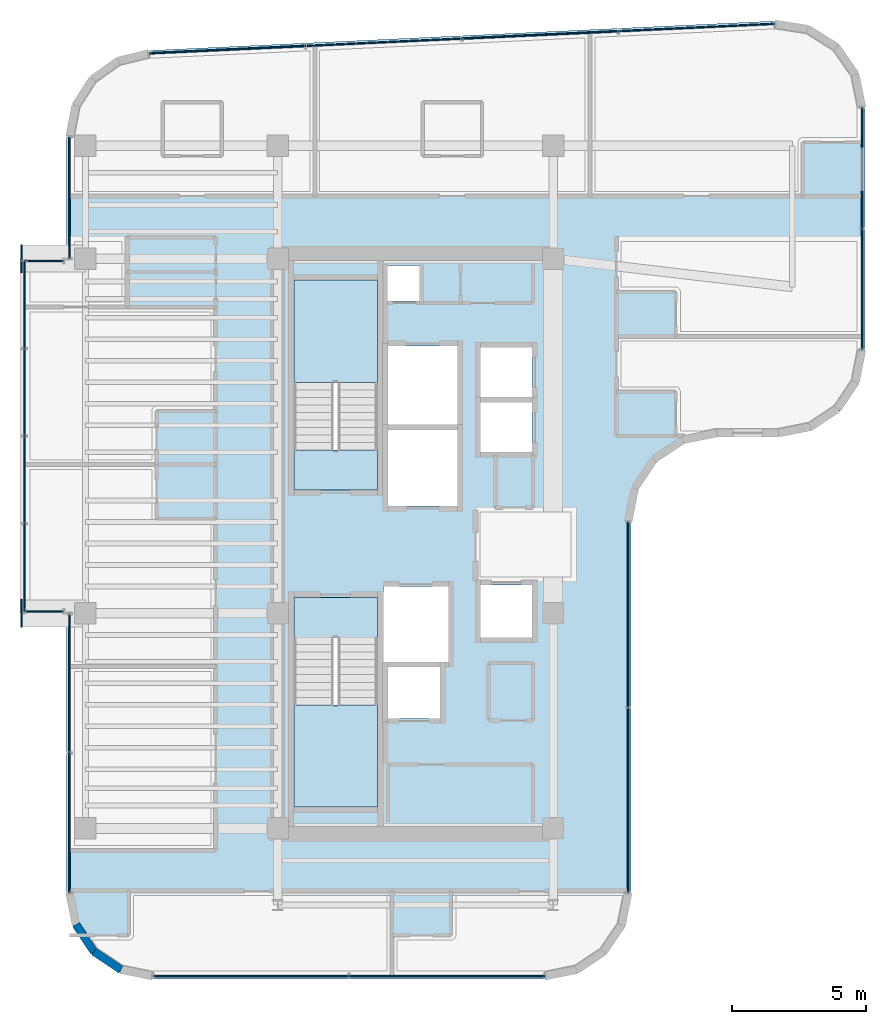
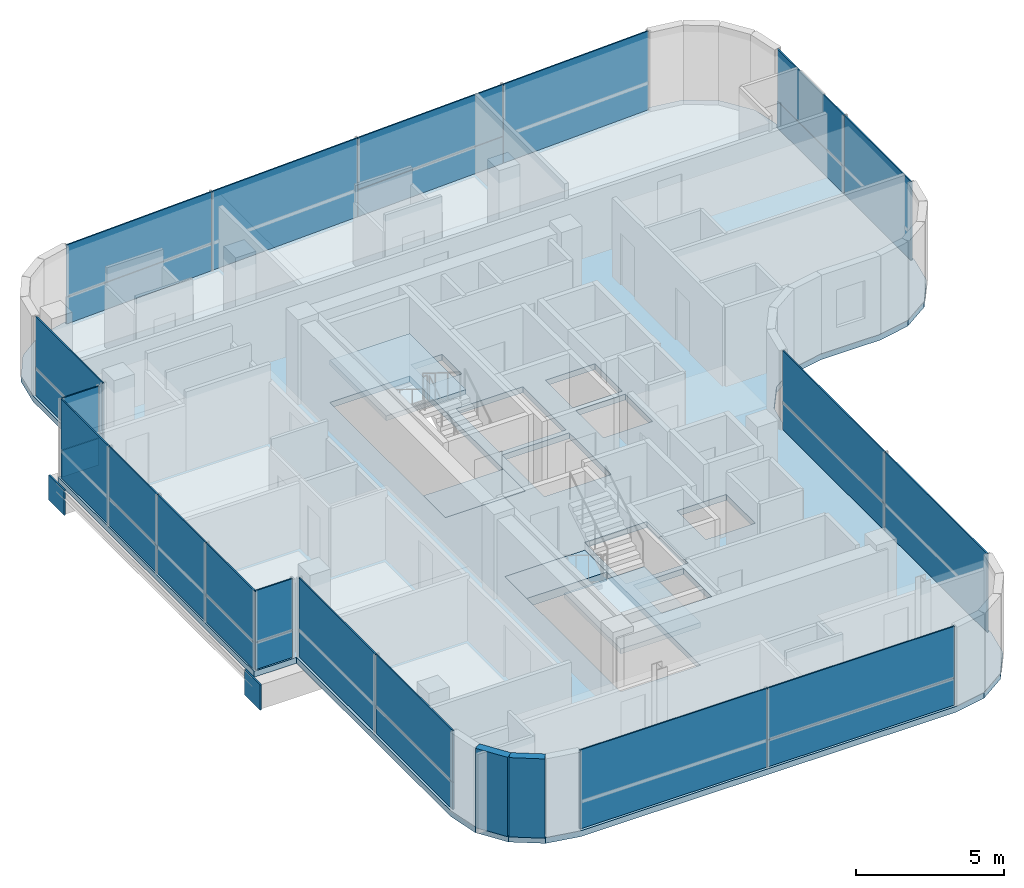
# One storey, part 13 of 20: 32 plates, 5 slabs, 2 walls, 11 elements without a shape of their own.
"""IFC4 building model written with IfcOpenShell, lengths in metres."""

from ifc_helpers import new_model, si_unit, direction, frame, frame_2d, origin, origin_2d, place, context, subcontext, project, spatial, polyline, rectangle, outline, extrude, source, transform, mapped, material, layer, layer_set, type_object, element, aggregate, save


model = new_model("IFC4")

# Units and contexts
model_context = context("Model", 3, precision=1e-05, world=origin(), true_north=direction((0.0, 1.0)))
body_context = subcontext(model_context, "Body", "Model", "MODEL_VIEW")
ifc_project = project(units=[si_unit("LENGTHUNIT", "METRE"), si_unit("AREAUNIT", "SQUARE_METRE"), si_unit("VOLUMEUNIT", "CUBIC_METRE"), si_unit("PLANEANGLEUNIT", "RADIAN"), si_unit("MASSUNIT", "GRAM", prefix="KILO")], contexts=[model_context])

# Site, building, storey
site_placement = place(None, origin())
site = spatial("IfcSite", under=ifc_project, at=site_placement, CompositionType="ELEMENT")
building_placement = place(site_placement, origin())
building = spatial("IfcBuilding", under=site, at=building_placement, Name="Valdorenza Pilgrim Sanctuary Tower", CompositionType="ELEMENT")
storey_placement = place(building_placement, frame((0.0, 0.0, 240.5)))
storey = spatial("IfcBuildingStorey", under=building, at=storey_placement, Name="L62", CompositionType="ELEMENT", Elevation=240.5)

# Slab
ifc_material_1 = material(Name="Concrete C40/50", Category="concrete")
ifc_layer_1 = layer(ifc_material_1, 0.239990234375, Name="Concrete C40/50")
ifc_layer_set_1 = layer_set([ifc_layer_1], Name="Concrete C40/50")
slab_type_1 = type_object("IfcSlabType", Name="SLAB-FLR-220", PredefinedType="FLOOR", material=ifc_layer_set_1)
slab_1_placement = place(storey_placement, frame((0.0, 0.0, -0.239990234375)))
element("IfcSlab", 1, at=slab_1_placement, inside=storey, type_object=slab_type_1, Name="L62 Structural Floor Slab 1", PredefinedType="FLOOR", context=body_context, shape_type="SweptSolid", body=[
    extrude(outline(polyline([(-30.2705078125, 16.3369140625), (-29.615478515625, 17.356201171875), (-28.628173828125, 18.05859375), (-27.45068359375, 18.34375), (-4.150634765625, 19.442138671875), (-2.880615234375, 19.243408203125), (-1.791259765625, 18.56103515625), (-1.05810546875, 17.5048828125), (-0.800048828125, 16.24560546875), (-0.800048828125, 7.199951171875), (-1.043701171875, 5.975341796875), (-1.7373046875, 4.937255859375), (-2.775390625, 4.24365234375), (-4.0, 4.0), (-6.300048828125, 4.0), (-7.524658203125, 3.75634765625), (-8.562744140625, 3.062744140625), (-9.25634765625, 2.024658203125), (-9.5, 0.800048828125), (-9.5, -13.0), (-9.74365234375, -14.224609375), (-10.437255859375, -15.2626953125), (-11.475341796875, -15.956298828125), (-12.699951171875, -16.199951171875), (-27.300048828125, -16.199951171875), (-28.524658203125, -15.956298828125), (-29.562744140625, -15.2626953125), (-30.25634765625, -14.224609375), (-30.5, -13.0), (-30.5, -2.60009765625), (-32.14990234375, -2.60009765625), (-32.14990234375, 10.60009765625), (-30.5, 10.60009765625), (-30.5, 15.147216796875), (-30.2705078125, 16.3369140625)]), holes=[polyline([(-22.050048828125, -9.800048828125), (-18.93994140625, -9.800048828125), (-18.93994140625, -3.485107421875), (-18.93994140625, -2.0), (-22.050048828125, -2.0), (-22.050048828125, -3.485107421875), (-22.050048828125, -9.800048828125)]), polyline([(-16.60009765625, -6.5), (-16.60009765625, -4.60009765625), (-18.550048828125, -4.60009765625), (-18.550048828125, -6.5), (-16.60009765625, -6.5)]), polyline([(-22.050048828125, 2.0), (-18.93994140625, 2.0), (-18.93994140625, 3.485107421875), (-18.93994140625, 9.800048828125), (-22.050048828125, 9.800048828125), (-22.050048828125, 3.485107421875), (-22.050048828125, 2.0)]), polyline([(-17.360107421875, 9.030029296875), (-17.360107421875, 10.35009765625), (-18.570068359375, 10.35009765625), (-18.570068359375, 9.030029296875), (-17.360107421875, 9.030029296875)]), polyline([(-16.300048828125, -1.60009765625), (-18.719970703125, -1.60009765625), (-18.719970703125, -4.39990234375), (-16.300048828125, -4.39990234375), (-16.300048828125, -1.60009765625)]), polyline([(-13.179931640625, -3.5), (-13.179931640625, -1.550048828125), (-15.10009765625, -1.550048828125), (-15.10009765625, -3.5), (-13.179931640625, -3.5)]), polyline([(-15.949951171875, 1.39990234375), (-15.949951171875, 4.22509765625), (-18.550048828125, 4.22509765625), (-18.550048828125, 1.39990234375), (-15.949951171875, 1.39990234375)]), polyline([(-13.179931640625, 5.25), (-15.10009765625, 5.25), (-15.10009765625, 3.39990234375), (-13.179931640625, 3.39990234375), (-13.179931640625, 5.25)]), polyline([(-15.949951171875, 4.425048828125), (-15.949951171875, 7.35009765625), (-18.550048828125, 7.35009765625), (-18.550048828125, 4.425048828125), (-15.949951171875, 4.425048828125)]), polyline([(-13.179931640625, 5.449951171875), (-13.179931640625, 7.300048828125), (-15.10009765625, 7.300048828125), (-15.10009765625, 5.449951171875), (-13.179931640625, 5.449951171875)])]), origin(), (0.0, 0.0, 1.0), 0.239990234375),
])

# Stair, slab
stair_type = type_object("IfcStairType", Name="STR-DOG-CORE", PredefinedType="HALF_TURN_STAIR", material=ifc_material_1)
stair_1_placement = place(storey_placement, origin())
stair_1 = element("IfcStair", 2, at=stair_1_placement, inside=storey, type_object=stair_type, Name="L62 ST-A1", PredefinedType="HALF_TURN_STAIR")
ifc_layer_2 = layer(ifc_material_1, 0.199951171875, Name="Concrete C40/50")
ifc_layer_set_2 = layer_set([ifc_layer_2], Name="Concrete C40/50")
slab_type_2 = type_object("IfcSlabType", Name="SLAB-STL-200", PredefinedType="LANDING", material=ifc_layer_set_2)
slab_2_placement = place(storey_placement, frame((0.0, 0.0, 1.550048828125)))
slab_2 = element("IfcSlab", 3, at=slab_2_placement, type_object=slab_type_2, Name="ST-A1 landing 1", PredefinedType="LANDING", context=body_context, shape_type="SweptSolid", body=[
    extrude(outline(polyline([(-18.93994140625, 6.0), (-18.93994140625, 9.800048828125), (-22.050048828125, 9.800048828125), (-22.050048828125, 6.0), (-18.93994140625, 6.0)])), origin(), (0.0, 0.0, 1.0), 0.199951171875),
])
aggregate(stair_1, [slab_2])

stair_2_placement = place(storey_placement, origin())
stair_2 = element("IfcStair", 4, at=stair_2_placement, inside=storey, type_object=stair_type, Name="L62 ST-A2", PredefinedType="HALF_TURN_STAIR")
slab_3_placement = place(storey_placement, frame((0.0, 0.0, 1.550048828125)))
slab_3 = element("IfcSlab", 5, at=slab_3_placement, type_object=slab_type_2, Name="ST-A2 landing 1", PredefinedType="LANDING", context=body_context, shape_type="SweptSolid", body=[
    extrude(outline(polyline([(-22.050048828125, -6.0), (-22.050048828125, -9.800048828125), (-18.93994140625, -9.800048828125), (-18.93994140625, -6.0), (-22.050048828125, -6.0)])), origin(), (0.0, 0.0, 1.0), 0.199951171875),
])
aggregate(stair_2, [slab_3])

# Slabs
ifc_material_2 = material(Name="Concrete C50/60", Category="concrete")
ifc_layer_3 = layer(ifc_material_2, 0.39990234375, Name="Concrete C50/60")
ifc_layer_set_3 = layer_set([ifc_layer_3], Name="Concrete C50/60")
slab_type_3 = type_object("IfcSlabType", Name="SLAB-TRF-400", PredefinedType="FLOOR", material=ifc_layer_set_3)
slab_4_placement = place(storey_placement, frame((0.0, 0.0, -0.360107421875)))
element("IfcSlab", 6, at=slab_4_placement, inside=storey, type_object=slab_type_3, Name="L62 ST-A1 Structural Stair Landing Bearing Slab", PredefinedType="FLOOR", context=body_context, shape_type="SweptSolid", body=[
    extrude(outline(polyline([(-22.050048828125, 2.0), (-18.93994140625, 2.0), (-18.93994140625, 3.485107421875), (-22.050048828125, 3.485107421875), (-22.050048828125, 2.0)])), origin(), (0.0, 0.0, 1.0), 0.360107421875),
])
slab_5_placement = place(storey_placement, frame((0.0, 0.0, -0.360107421875)))
element("IfcSlab", 7, at=slab_5_placement, inside=storey, type_object=slab_type_3, Name="L62 ST-A2 Structural Stair Landing Bearing Slab", PredefinedType="FLOOR", context=body_context, shape_type="SweptSolid", body=[
    extrude(outline(polyline([(-22.050048828125, -3.485107421875), (-18.93994140625, -3.485107421875), (-18.93994140625, -2.0), (-22.050048828125, -2.0), (-22.050048828125, -3.485107421875)])), origin(), (0.0, 0.0, 1.0), 0.360107421875),
])

# Plates
ifc_material_3 = material(Name="Steel ASTM A572 Grade 42", Category="steel")
ifc_layer_4 = layer(ifc_material_3, 0.06005859375, Name="Steel ASTM A572 Grade 42")
ifc_layer_set_4 = layer_set([ifc_layer_4], Name="Steel ASTM A572 Grade 42")
plate_type_1 = type_object("IfcPlateType", Name="PLT-CAP-60", PredefinedType="SHEET", material=ifc_layer_set_4)
shared_shape_1 = source(origin(), body_context, "Body", "SweptSolid", [
    extrude(rectangle(XDim=0.06005859375, YDim=1.0400390625, at=origin_2d()), origin(), (0.0, 0.0, 1.0), 1.0400390625),
])
for number, where, z_axis, x_axis, name in (
    (8, (-32.179931640625, 10.60009765625, -1.260009765625), (0.0, 0.0, 1.0), (1.0, 0.0, 0.0), "L62 BOX-WA-L62 Cantilever Tip End Cap N"),
    (9, (-32.179931640625, -2.60009765625, -1.260009765625), (0.0, 0.0, 1.0), (1.0, 0.0, 0.0), "L62 BOX-WA-L62 Cantilever Tip End Cap S"),
):
    element("IfcPlate", number, at=place(storey_placement, frame(where, z_axis=z_axis, x_axis=x_axis)), inside=storey, type_object=plate_type_1, Name=name, PredefinedType="SHEET", context=body_context, shape_type="MappedRepresentation", body=[
        mapped(shared_shape_1, transform((0.0, 0.0, 0.0), x_axis=(1.0, 0.0, 0.0), y_axis=(0.0, 1.0, 0.0), z_axis=(0.0, 0.0, 1.0), scale=1.0)),
    ])

# Curtain wall, plate
ifc_material_4 = material(Name="Curtain-wall IGU glazing", Category="glass")
curtain_wall_type = type_object("IfcCurtainWallType", Name="CW-SYS-02", PredefinedType="NOTDEFINED", material=ifc_material_4)
curtain_wall_1_placement = place(storey_placement, origin())
curtain_wall_1 = element("IfcCurtainWall", 10, at=curtain_wall_1_placement, inside=storey, type_object=curtain_wall_type, Name="L62 Curtain Wall CW-L62-BOX-WA-L62-S", PredefinedType="NOTDEFINED")
ifc_material_5 = material(Name="Honed travertine limestone", Category="masonry")
ifc_layer_5 = layer(ifc_material_5, 0.050048828125, Name="Honed travertine limestone")
ifc_layer_set_5 = layer_set([ifc_layer_5], Name="Honed travertine limestone")
plate_type_2 = type_object("IfcPlateType", Name="CW-SPN-TRV", PredefinedType="USERDEFINED", material=ifc_layer_set_5)
shared_shape_2 = source(origin(), body_context, "Body", "SweptSolid", [
    extrude(rectangle(XDim=1.43994140625, YDim=0.06005859375, at=origin_2d()), origin(), (0.0, 0.0, 1.0), 1.10009765625),
])
plate_1_placement = place(storey_placement, frame((-31.340087890625, -2.52001953125, 0.010009765625), z_axis=(0.0, 0.0, 1.0), x_axis=(-1.0, 0.0, 0.0)))
plate_1 = element("IfcPlate", 11, at=plate_1_placement, type_object=plate_type_2, Name="CW-L62-BOX-WA-L62-S Travertine Spandrel 1", ObjectType="SPANDREL", PredefinedType="USERDEFINED", context=body_context, shape_type="MappedRepresentation", body=[
    mapped(shared_shape_2, transform((0.0, 0.0, 0.0), x_axis=(1.0, 0.0, 0.0), y_axis=(0.0, 1.0, 0.0), z_axis=(0.0, 0.0, 1.0), scale=1.0)),
])

curtain_wall_2_placement = place(storey_placement, origin())
curtain_wall_2 = element("IfcCurtainWall", 12, at=curtain_wall_2_placement, inside=storey, type_object=curtain_wall_type, Name="L62 Curtain Wall CW-L62-BOX-WA-L62-N", PredefinedType="NOTDEFINED")
plate_2_placement = place(storey_placement, frame((-31.340087890625, 10.52001953125, 0.010009765625), z_axis=(0.0, 0.0, 1.0), x_axis=(1.0, 0.0, 0.0)))
plate_2 = element("IfcPlate", 13, at=plate_2_placement, type_object=plate_type_2, Name="CW-L62-BOX-WA-L62-N Travertine Spandrel 1", ObjectType="SPANDREL", PredefinedType="USERDEFINED", context=body_context, shape_type="MappedRepresentation", body=[
    mapped(shared_shape_2, transform((0.0, 0.0, 0.0), x_axis=(1.0, 0.0, 0.0), y_axis=(0.0, 1.0, 0.0), z_axis=(0.0, 0.0, 1.0), scale=1.0)),
])

# Curtain wall, plates
curtain_wall_3_placement = place(storey_placement, origin())
curtain_wall_3 = element("IfcCurtainWall", 14, at=curtain_wall_3_placement, inside=storey, type_object=curtain_wall_type, Name="L62 Curtain Wall CW-L62-BOX-WA-L62-F", PredefinedType="NOTDEFINED")
shared_shape_3 = source(origin(), body_context, "Body", "SweptSolid", [
    extrude(rectangle(XDim=3.239990234375, YDim=0.06005859375, at=origin_2d()), origin(), (0.0, 0.0, 1.0), 1.10009765625),
])
plate_3_placement = place(storey_placement, frame((-32.070068359375, -0.889892578125, 0.010009765625), z_axis=(0.0, 0.0, 1.0), x_axis=(0.0, 1.0, 0.0)))
plate_3 = element("IfcPlate", 15, at=plate_3_placement, type_object=plate_type_2, Name="CW-L62-BOX-WA-L62-F Travertine Spandrel 1", ObjectType="SPANDREL", PredefinedType="USERDEFINED", context=body_context, shape_type="MappedRepresentation", body=[
    mapped(shared_shape_3, transform((0.0, 0.0, 0.0), x_axis=(1.0, 0.0, 0.0), y_axis=(0.0, 1.0, 0.0), z_axis=(0.0, 0.0, 1.0), scale=1.0)),
])
plate_4_placement = place(storey_placement, frame((-32.070068359375, 5.6298828125, 0.010009765625), z_axis=(0.0, 0.0, 1.0), x_axis=(0.0, 1.0, 0.0)))
plate_4 = element("IfcPlate", 16, at=plate_4_placement, type_object=plate_type_2, Name="CW-L62-BOX-WA-L62-F Travertine Spandrel 3", ObjectType="SPANDREL", PredefinedType="USERDEFINED", context=body_context, shape_type="MappedRepresentation", body=[
    mapped(shared_shape_3, transform((0.0, 0.0, 0.0), x_axis=(1.0, 0.0, 0.0), y_axis=(0.0, 1.0, 0.0), z_axis=(0.0, 0.0, 1.0), scale=1.0)),
])

# Plate
ifc_material_6 = material(Name="Ceramic-fritted low-E IGU glazing", Category="glass")
ifc_layer_6 = layer(ifc_material_6, 0.035888671875, Name="Ceramic-fritted low-E IGU glazing")
ifc_layer_set_6 = layer_set([ifc_layer_6], Name="Ceramic-fritted low-E IGU glazing")
plate_type_3 = type_object("IfcPlateType", Name="CW-GLZ-IGU", PredefinedType="USERDEFINED", material=ifc_layer_set_6)
shared_shape_4 = source(origin(), body_context, "Body", "SweptSolid", [
    extrude(rectangle(XDim=1.43994140625, YDim=0.050048828125, at=origin_2d()), origin(), (0.0, 0.0, 1.0), 2.1201171875),
])
plate_5_placement = place(storey_placement, frame((-31.340087890625, -2.52001953125, 1.1298828125), z_axis=(0.0, 0.0, 1.0), x_axis=(-1.0, 0.0, 0.0)))
plate_5 = element("IfcPlate", 17, at=plate_5_placement, type_object=plate_type_3, Name="CW-L62-BOX-WA-L62-S Facade Panel 1", ObjectType="GLAZING", PredefinedType="USERDEFINED", context=body_context, shape_type="MappedRepresentation", body=[
    mapped(shared_shape_4, transform((0.0, 0.0, 0.0), x_axis=(1.0, 0.0, 0.0), y_axis=(0.0, 1.0, 0.0), z_axis=(0.0, 0.0, 1.0), scale=1.0)),
])

aggregate(curtain_wall_1, [plate_1, plate_5])

plate_6_placement = place(storey_placement, frame((-31.340087890625, 10.52001953125, 1.1298828125), z_axis=(0.0, 0.0, 1.0), x_axis=(1.0, 0.0, 0.0)))
plate_6 = element("IfcPlate", 18, at=plate_6_placement, type_object=plate_type_3, Name="CW-L62-BOX-WA-L62-N Facade Panel 1", ObjectType="GLAZING", PredefinedType="USERDEFINED", context=body_context, shape_type="MappedRepresentation", body=[
    mapped(shared_shape_4, transform((0.0, 0.0, 0.0), x_axis=(1.0, 0.0, 0.0), y_axis=(0.0, 1.0, 0.0), z_axis=(0.0, 0.0, 1.0), scale=1.0)),
])

aggregate(curtain_wall_2, [plate_2, plate_6])

shared_shape_5 = source(origin(), body_context, "Body", "SweptSolid", [
    extrude(rectangle(XDim=3.239990234375, YDim=0.050048828125, at=origin_2d()), origin(), (0.0, 0.0, 1.0), 2.1201171875),
])
plate_7_placement = place(storey_placement, frame((-32.070068359375, -0.889892578125, 1.1298828125), z_axis=(0.0, 0.0, 1.0), x_axis=(0.0, 1.0, 0.0)))
plate_7 = element("IfcPlate", 19, at=plate_7_placement, type_object=plate_type_3, Name="CW-L62-BOX-WA-L62-F Facade Panel 1", ObjectType="GLAZING", PredefinedType="USERDEFINED", context=body_context, shape_type="MappedRepresentation", body=[
    mapped(shared_shape_5, transform((0.0, 0.0, 0.0), x_axis=(1.0, 0.0, 0.0), y_axis=(0.0, 1.0, 0.0), z_axis=(0.0, 0.0, 1.0), scale=1.0)),
])

plate_8_placement = place(storey_placement, frame((-32.070068359375, 5.6298828125, 1.1298828125), z_axis=(0.0, 0.0, 1.0), x_axis=(0.0, 1.0, 0.0)))
plate_8 = element("IfcPlate", 20, at=plate_8_placement, type_object=plate_type_3, Name="CW-L62-BOX-WA-L62-F Facade Panel 3", ObjectType="GLAZING", PredefinedType="USERDEFINED", context=body_context, shape_type="MappedRepresentation", body=[
    mapped(shared_shape_5, transform((0.0, 0.0, 0.0), x_axis=(1.0, 0.0, 0.0), y_axis=(0.0, 1.0, 0.0), z_axis=(0.0, 0.0, 1.0), scale=1.0)),
])

shared_shape_6 = source(origin(), body_context, "Body", "SweptSolid", [
    extrude(rectangle(XDim=3.239990234375, YDim=0.050048828125, at=origin_2d()), origin(), (0.0, 0.0, 1.0), 3.239990234375),
])
plate_9_placement = place(storey_placement, frame((-32.070068359375, 2.3701171875, 0.009765625), z_axis=(0.0, 0.0, 1.0), x_axis=(0.0, 1.0, 0.0)))
plate_9 = element("IfcPlate", 21, at=plate_9_placement, type_object=plate_type_3, Name="CW-L62-BOX-WA-L62-F Full-Height Facade Panel 2", ObjectType="GLAZING", PredefinedType="USERDEFINED", context=body_context, shape_type="MappedRepresentation", body=[
    mapped(shared_shape_6, transform((0.0, 0.0, 0.0), x_axis=(1.0, 0.0, 0.0), y_axis=(0.0, 1.0, 0.0), z_axis=(0.0, 0.0, 1.0), scale=1.0)),
])

plate_10_placement = place(storey_placement, frame((-32.070068359375, 8.889892578125, 0.009765625), z_axis=(0.0, 0.0, 1.0), x_axis=(0.0, 1.0, 0.0)))
plate_10 = element("IfcPlate", 22, at=plate_10_placement, type_object=plate_type_3, Name="CW-L62-BOX-WA-L62-F Full-Height Facade Panel 4", ObjectType="GLAZING", PredefinedType="USERDEFINED", context=body_context, shape_type="MappedRepresentation", body=[
    mapped(shared_shape_6, transform((0.0, 0.0, 0.0), x_axis=(1.0, 0.0, 0.0), y_axis=(0.0, 1.0, 0.0), z_axis=(0.0, 0.0, 1.0), scale=1.0)),
])

aggregate(curtain_wall_3, [plate_3, plate_7, plate_9, plate_4, plate_8, plate_10])

# Curtain wall, plates
curtain_wall_4_placement = place(storey_placement, origin())
curtain_wall_4 = element("IfcCurtainWall", 23, at=curtain_wall_4_placement, inside=storey, type_object=curtain_wall_type, Name="L62 Curtain Wall CW-L62-1-1S1", PredefinedType="NOTDEFINED")
shared_shape_7 = source(origin(), body_context, "Body", "SweptSolid", [
    extrude(rectangle(XDim=5.174560546875, YDim=0.06005859375, at=origin_2d()), origin(), (0.0, 0.0, 1.0), 1.10009765625),
])
plate_11_placement = place(storey_placement, frame((-30.389892578125, -10.391845703125, 0.010009765625), z_axis=(0.0, 0.0, 1.0), x_axis=(0.0, 1.0, 0.0)))
plate_11 = element("IfcPlate", 24, at=plate_11_placement, type_object=plate_type_2, Name="CW-L62-1-1S1 Travertine Spandrel 1", ObjectType="SPANDREL", PredefinedType="USERDEFINED", context=body_context, shape_type="MappedRepresentation", body=[
    mapped(shared_shape_7, transform((0.0, 0.0, 0.0), x_axis=(1.0, 0.0, 0.0), y_axis=(0.0, 1.0, 0.0), z_axis=(0.0, 0.0, 1.0), scale=1.0)),
])
shared_shape_8 = source(origin(), body_context, "Body", "SweptSolid", [
    extrude(rectangle(XDim=5.174560546875, YDim=0.050048828125, at=origin_2d()), origin(), (0.0, 0.0, 1.0), 2.1201171875),
])
plate_12_placement = place(storey_placement, frame((-30.389892578125, -10.391845703125, 1.1298828125), z_axis=(0.0, 0.0, 1.0), x_axis=(0.0, 1.0, 0.0)))
plate_12 = element("IfcPlate", 25, at=plate_12_placement, type_object=plate_type_3, Name="CW-L62-1-1S1 Facade Panel 1", ObjectType="GLAZING", PredefinedType="USERDEFINED", context=body_context, shape_type="MappedRepresentation", body=[
    mapped(shared_shape_8, transform((0.0, 0.0, 0.0), x_axis=(1.0, 0.0, 0.0), y_axis=(0.0, 1.0, 0.0), z_axis=(0.0, 0.0, 1.0), scale=1.0)),
])
shared_shape_9 = source(origin(), body_context, "Body", "SweptSolid", [
    extrude(rectangle(XDim=5.174560546875, YDim=0.050048828125, at=origin_2d()), origin(), (0.0, 0.0, 1.0), 3.239990234375),
])
plate_13_placement = place(storey_placement, frame((-30.389892578125, -5.197265625, 0.009765625), z_axis=(0.0, 0.0, 1.0), x_axis=(0.0, 1.0, 0.0)))
plate_13 = element("IfcPlate", 26, at=plate_13_placement, type_object=plate_type_3, Name="CW-L62-1-1S1 Full-Height Facade Panel 2", ObjectType="GLAZING", PredefinedType="USERDEFINED", context=body_context, shape_type="MappedRepresentation", body=[
    mapped(shared_shape_9, transform((0.0, 0.0, 0.0), x_axis=(1.0, 0.0, 0.0), y_axis=(0.0, 1.0, 0.0), z_axis=(0.0, 0.0, 1.0), scale=1.0)),
])
aggregate(curtain_wall_4, [plate_11, plate_12, plate_13])

curtain_wall_5_placement = place(storey_placement, origin())
curtain_wall_5 = element("IfcCurtainWall", 27, at=curtain_wall_5_placement, inside=storey, type_object=curtain_wall_type, Name="L62 Curtain Wall CW-L62-1-1S2", PredefinedType="NOTDEFINED")
shared_shape_10 = source(origin(), body_context, "Body", "SweptSolid", [
    extrude(rectangle(XDim=4.516845703125, YDim=0.06005859375, at=origin_2d()), origin(), (0.0, 0.0, 1.0), 1.10009765625),
])
plate_14_placement = place(storey_placement, frame((-30.389892578125, 12.868408203125, 0.010009765625), z_axis=(0.0, 0.0, 1.0), x_axis=(0.0, 1.0, 0.0)))
plate_14 = element("IfcPlate", 28, at=plate_14_placement, type_object=plate_type_2, Name="CW-L62-1-1S2 Travertine Spandrel 1", ObjectType="SPANDREL", PredefinedType="USERDEFINED", context=body_context, shape_type="MappedRepresentation", body=[
    mapped(shared_shape_10, transform((0.0, 0.0, 0.0), x_axis=(1.0, 0.0, 0.0), y_axis=(0.0, 1.0, 0.0), z_axis=(0.0, 0.0, 1.0), scale=1.0)),
])
shared_shape_11 = source(origin(), body_context, "Body", "SweptSolid", [
    extrude(rectangle(XDim=4.516845703125, YDim=0.050048828125, at=origin_2d()), origin(), (0.0, 0.0, 1.0), 2.1201171875),
])
plate_15_placement = place(storey_placement, frame((-30.389892578125, 12.868408203125, 1.1298828125), z_axis=(0.0, 0.0, 1.0), x_axis=(0.0, 1.0, 0.0)))
plate_15 = element("IfcPlate", 29, at=plate_15_placement, type_object=plate_type_3, Name="CW-L62-1-1S2 Facade Panel 1", ObjectType="GLAZING", PredefinedType="USERDEFINED", context=body_context, shape_type="MappedRepresentation", body=[
    mapped(shared_shape_11, transform((0.0, 0.0, 0.0), x_axis=(1.0, 0.0, 0.0), y_axis=(0.0, 1.0, 0.0), z_axis=(0.0, 0.0, 1.0), scale=1.0)),
])
aggregate(curtain_wall_5, [plate_14, plate_15])

curtain_wall_6_placement = place(storey_placement, origin())
curtain_wall_6 = element("IfcCurtainWall", 30, at=curtain_wall_6_placement, inside=storey, type_object=curtain_wall_type, Name="L62 Curtain Wall CW-L62-1-6", PredefinedType="NOTDEFINED")
shared_shape_12 = source(origin(), body_context, "Body", "SweptSolid", [
    extrude(rectangle(XDim=5.805908203125, YDim=0.06005859375, at=origin_2d()), origin(), (0.0, 0.0, 1.0), 1.10009765625),
])
plate_16_placement = place(storey_placement, frame((-24.525146484375, 18.37158203125, 0.010009765625), z_axis=(0.0, 0.0, 1.0), x_axis=(0.998890696972, 0.047089016785, 0.0)))
plate_16 = element("IfcPlate", 31, at=plate_16_placement, type_object=plate_type_2, Name="CW-L62-1-6 Travertine Spandrel 1", ObjectType="SPANDREL", PredefinedType="USERDEFINED", context=body_context, shape_type="MappedRepresentation", body=[
    mapped(shared_shape_12, transform((0.0, 0.0, 0.0), x_axis=(1.0, 0.0, 0.0), y_axis=(0.0, 1.0, 0.0), z_axis=(0.0, 0.0, 1.0), scale=1.0)),
])
plate_17_placement = place(storey_placement, frame((-12.885986328125, 18.920166015625, 0.010009765625), z_axis=(0.0, 0.0, 1.0), x_axis=(0.998890696972, 0.047089016785, 0.0)))
plate_17 = element("IfcPlate", 32, at=plate_17_placement, type_object=plate_type_2, Name="CW-L62-1-6 Travertine Spandrel 3", ObjectType="SPANDREL", PredefinedType="USERDEFINED", context=body_context, shape_type="MappedRepresentation", body=[
    mapped(shared_shape_12, transform((0.0, 0.0, 0.0), x_axis=(1.0, 0.0, 0.0), y_axis=(0.0, 1.0, 0.0), z_axis=(0.0, 0.0, 1.0), scale=1.0)),
])
shared_shape_13 = source(origin(), body_context, "Body", "SweptSolid", [
    extrude(rectangle(XDim=5.805908203125, YDim=0.050048828125, at=origin_2d()), origin(), (0.0, 0.0, 1.0), 2.1201171875),
])
plate_18_placement = place(storey_placement, frame((-24.525146484375, 18.37158203125, 1.1298828125), z_axis=(0.0, 0.0, 1.0), x_axis=(0.998890696972, 0.047089016785, 0.0)))
plate_18 = element("IfcPlate", 33, at=plate_18_placement, type_object=plate_type_3, Name="CW-L62-1-6 Facade Panel 1", ObjectType="GLAZING", PredefinedType="USERDEFINED", context=body_context, shape_type="MappedRepresentation", body=[
    mapped(shared_shape_13, transform((0.0, 0.0, 0.0), x_axis=(1.0, 0.0, 0.0), y_axis=(0.0, 1.0, 0.0), z_axis=(0.0, 0.0, 1.0), scale=1.0)),
])
plate_19_placement = place(storey_placement, frame((-12.885986328125, 18.920166015625, 1.1298828125), z_axis=(0.0, 0.0, 1.0), x_axis=(0.998890696972, 0.047089016785, 0.0)))
plate_19 = element("IfcPlate", 34, at=plate_19_placement, type_object=plate_type_3, Name="CW-L62-1-6 Facade Panel 3", ObjectType="GLAZING", PredefinedType="USERDEFINED", context=body_context, shape_type="MappedRepresentation", body=[
    mapped(shared_shape_13, transform((0.0, 0.0, 0.0), x_axis=(1.0, 0.0, 0.0), y_axis=(0.0, 1.0, 0.0), z_axis=(0.0, 0.0, 1.0), scale=1.0)),
])
shared_shape_14 = source(origin(), body_context, "Body", "SweptSolid", [
    extrude(rectangle(XDim=5.805908203125, YDim=0.050048828125, at=origin_2d()), origin(), (0.0, 0.0, 1.0), 3.239990234375),
])
plate_20_placement = place(storey_placement, frame((-18.70556640625, 18.645751953125, 0.009765625), z_axis=(0.0, 0.0, 1.0), x_axis=(0.998890696972, 0.047089016785, 0.0)))
plate_20 = element("IfcPlate", 35, at=plate_20_placement, type_object=plate_type_3, Name="CW-L62-1-6 Full-Height Facade Panel 2", ObjectType="GLAZING", PredefinedType="USERDEFINED", context=body_context, shape_type="MappedRepresentation", body=[
    mapped(shared_shape_14, transform((0.0, 0.0, 0.0), x_axis=(1.0, 0.0, 0.0), y_axis=(0.0, 1.0, 0.0), z_axis=(0.0, 0.0, 1.0), scale=1.0)),
])
plate_21_placement = place(storey_placement, frame((-7.06640625, 19.194580078125, 0.009765625), z_axis=(0.0, 0.0, 1.0), x_axis=(0.998890696972, 0.047089016785, 0.0)))
plate_21 = element("IfcPlate", 36, at=plate_21_placement, type_object=plate_type_3, Name="CW-L62-1-6 Full-Height Facade Panel 4", ObjectType="GLAZING", PredefinedType="USERDEFINED", context=body_context, shape_type="MappedRepresentation", body=[
    mapped(shared_shape_14, transform((0.0, 0.0, 0.0), x_axis=(1.0, 0.0, 0.0), y_axis=(0.0, 1.0, 0.0), z_axis=(0.0, 0.0, 1.0), scale=1.0)),
])
aggregate(curtain_wall_6, [plate_16, plate_18, plate_20, plate_17, plate_19, plate_21])

curtain_wall_7_placement = place(storey_placement, origin())
curtain_wall_7 = element("IfcCurtainWall", 37, at=curtain_wall_7_placement, inside=storey, type_object=curtain_wall_type, Name="L62 Curtain Wall CW-L62-1-11", PredefinedType="NOTDEFINED")
shared_shape_15 = source(origin(), body_context, "Body", "SweptSolid", [
    extrude(rectangle(XDim=4.49169921875, YDim=0.06005859375, at=origin_2d()), origin(), (0.0, 0.0, 1.0), 1.10009765625),
])
plate_22_placement = place(storey_placement, frame((-0.909912109375, 13.978515625, 0.010009765625), z_axis=(0.0, 0.0, 1.0), x_axis=(0.0, -1.0, 0.0)))
plate_22 = element("IfcPlate", 38, at=plate_22_placement, type_object=plate_type_2, Name="CW-L62-1-11 Travertine Spandrel 1", ObjectType="SPANDREL", PredefinedType="USERDEFINED", context=body_context, shape_type="MappedRepresentation", body=[
    mapped(shared_shape_15, transform((0.0, 0.0, 0.0), x_axis=(1.0, 0.0, 0.0), y_axis=(0.0, 1.0, 0.0), z_axis=(0.0, 0.0, 1.0), scale=1.0)),
])
shared_shape_16 = source(origin(), body_context, "Body", "SweptSolid", [
    extrude(rectangle(XDim=4.49169921875, YDim=0.050048828125, at=origin_2d()), origin(), (0.0, 0.0, 1.0), 2.1201171875),
])
plate_23_placement = place(storey_placement, frame((-0.909912109375, 13.978515625, 1.1298828125), z_axis=(0.0, 0.0, 1.0), x_axis=(0.0, -1.0, 0.0)))
plate_23 = element("IfcPlate", 39, at=plate_23_placement, type_object=plate_type_3, Name="CW-L62-1-11 Facade Panel 1", ObjectType="GLAZING", PredefinedType="USERDEFINED", context=body_context, shape_type="MappedRepresentation", body=[
    mapped(shared_shape_16, transform((0.0, 0.0, 0.0), x_axis=(1.0, 0.0, 0.0), y_axis=(0.0, 1.0, 0.0), z_axis=(0.0, 0.0, 1.0), scale=1.0)),
])
shared_shape_17 = source(origin(), body_context, "Body", "SweptSolid", [
    extrude(rectangle(XDim=4.49169921875, YDim=0.050048828125, at=origin_2d()), origin(), (0.0, 0.0, 1.0), 3.239990234375),
])
plate_24_placement = place(storey_placement, frame((-0.909912109375, 9.466796875, 0.009765625), z_axis=(0.0, 0.0, 1.0), x_axis=(0.0, -1.0, 0.0)))
plate_24 = element("IfcPlate", 40, at=plate_24_placement, type_object=plate_type_3, Name="CW-L62-1-11 Full-Height Facade Panel 2", ObjectType="GLAZING", PredefinedType="USERDEFINED", context=body_context, shape_type="MappedRepresentation", body=[
    mapped(shared_shape_17, transform((0.0, 0.0, 0.0), x_axis=(1.0, 0.0, 0.0), y_axis=(0.0, 1.0, 0.0), z_axis=(0.0, 0.0, 1.0), scale=1.0)),
])
aggregate(curtain_wall_7, [plate_22, plate_23, plate_24])

curtain_wall_8_placement = place(storey_placement, origin())
curtain_wall_8 = element("IfcCurtainWall", 41, at=curtain_wall_8_placement, inside=storey, type_object=curtain_wall_type, Name="L62 Curtain Wall CW-L62-1-21", PredefinedType="NOTDEFINED")
shared_shape_18 = source(origin(), body_context, "Body", "SweptSolid", [
    extrude(rectangle(XDim=6.8798828125, YDim=0.06005859375, at=origin_2d()), origin(), (0.0, 0.0, 1.0), 1.10009765625),
])
plate_25_placement = place(storey_placement, frame((-9.610107421875, -2.63916015625, 0.010009765625), z_axis=(0.0, 0.0, 1.0), x_axis=(0.0, -1.0, 0.0)))
plate_25 = element("IfcPlate", 42, at=plate_25_placement, type_object=plate_type_2, Name="CW-L62-1-21 Travertine Spandrel 1", ObjectType="SPANDREL", PredefinedType="USERDEFINED", context=body_context, shape_type="MappedRepresentation", body=[
    mapped(shared_shape_18, transform((0.0, 0.0, 0.0), x_axis=(1.0, 0.0, 0.0), y_axis=(0.0, 1.0, 0.0), z_axis=(0.0, 0.0, 1.0), scale=1.0)),
])
shared_shape_19 = source(origin(), body_context, "Body", "SweptSolid", [
    extrude(rectangle(XDim=6.8798828125, YDim=0.050048828125, at=origin_2d()), origin(), (0.0, 0.0, 1.0), 2.1201171875),
])
plate_26_placement = place(storey_placement, frame((-9.610107421875, -2.63916015625, 1.1298828125), z_axis=(0.0, 0.0, 1.0), x_axis=(0.0, -1.0, 0.0)))
plate_26 = element("IfcPlate", 43, at=plate_26_placement, type_object=plate_type_3, Name="CW-L62-1-21 Facade Panel 1", ObjectType="GLAZING", PredefinedType="USERDEFINED", context=body_context, shape_type="MappedRepresentation", body=[
    mapped(shared_shape_19, transform((0.0, 0.0, 0.0), x_axis=(1.0, 0.0, 0.0), y_axis=(0.0, 1.0, 0.0), z_axis=(0.0, 0.0, 1.0), scale=1.0)),
])
shared_shape_20 = source(origin(), body_context, "Body", "SweptSolid", [
    extrude(rectangle(XDim=6.8798828125, YDim=0.050048828125, at=origin_2d()), origin(), (0.0, 0.0, 1.0), 3.239990234375),
])
plate_27_placement = place(storey_placement, frame((-9.610107421875, -9.539306640625, 0.009765625), z_axis=(0.0, 0.0, 1.0), x_axis=(0.0, -1.0, 0.0)))
plate_27 = element("IfcPlate", 44, at=plate_27_placement, type_object=plate_type_3, Name="CW-L62-1-21 Full-Height Facade Panel 2", ObjectType="GLAZING", PredefinedType="USERDEFINED", context=body_context, shape_type="MappedRepresentation", body=[
    mapped(shared_shape_20, transform((0.0, 0.0, 0.0), x_axis=(1.0, 0.0, 0.0), y_axis=(0.0, 1.0, 0.0), z_axis=(0.0, 0.0, 1.0), scale=1.0)),
])
aggregate(curtain_wall_8, [plate_25, plate_26, plate_27])

curtain_wall_9_placement = place(storey_placement, origin())
curtain_wall_9 = element("IfcCurtainWall", 45, at=curtain_wall_9_placement, inside=storey, type_object=curtain_wall_type, Name="L62 Curtain Wall CW-L62-1-26", PredefinedType="NOTDEFINED")
shared_shape_21 = source(origin(), body_context, "Body", "SweptSolid", [
    extrude(rectangle(XDim=7.269287109375, YDim=0.06005859375, at=origin_2d()), origin(), (0.0, 0.0, 1.0), 1.10009765625),
])
plate_28_placement = place(storey_placement, frame((-16.35546875, -16.090087890625, 0.010009765625), z_axis=(0.0, 0.0, 1.0), x_axis=(-1.0, 0.0, 0.0)))
plate_28 = element("IfcPlate", 46, at=plate_28_placement, type_object=plate_type_2, Name="CW-L62-1-26 Travertine Spandrel 1", ObjectType="SPANDREL", PredefinedType="USERDEFINED", context=body_context, shape_type="MappedRepresentation", body=[
    mapped(shared_shape_21, transform((0.0, 0.0, 0.0), x_axis=(1.0, 0.0, 0.0), y_axis=(0.0, 1.0, 0.0), z_axis=(0.0, 0.0, 1.0), scale=1.0)),
])
shared_shape_22 = source(origin(), body_context, "Body", "SweptSolid", [
    extrude(rectangle(XDim=7.269287109375, YDim=0.050048828125, at=origin_2d()), origin(), (0.0, 0.0, 1.0), 2.1201171875),
])
plate_29_placement = place(storey_placement, frame((-16.35546875, -16.090087890625, 1.1298828125), z_axis=(0.0, 0.0, 1.0), x_axis=(-1.0, 0.0, 0.0)))
plate_29 = element("IfcPlate", 47, at=plate_29_placement, type_object=plate_type_3, Name="CW-L62-1-26 Facade Panel 1", ObjectType="GLAZING", PredefinedType="USERDEFINED", context=body_context, shape_type="MappedRepresentation", body=[
    mapped(shared_shape_22, transform((0.0, 0.0, 0.0), x_axis=(1.0, 0.0, 0.0), y_axis=(0.0, 1.0, 0.0), z_axis=(0.0, 0.0, 1.0), scale=1.0)),
])
shared_shape_23 = source(origin(), body_context, "Body", "SweptSolid", [
    extrude(rectangle(XDim=7.269287109375, YDim=0.050048828125, at=origin_2d()), origin(), (0.0, 0.0, 1.0), 3.239990234375),
])
plate_30_placement = place(storey_placement, frame((-23.64453125, -16.090087890625, 0.009765625), z_axis=(0.0, 0.0, 1.0), x_axis=(-1.0, 0.0, 0.0)))
plate_30 = element("IfcPlate", 48, at=plate_30_placement, type_object=plate_type_3, Name="CW-L62-1-26 Full-Height Facade Panel 2", ObjectType="GLAZING", PredefinedType="USERDEFINED", context=body_context, shape_type="MappedRepresentation", body=[
    mapped(shared_shape_23, transform((0.0, 0.0, 0.0), x_axis=(1.0, 0.0, 0.0), y_axis=(0.0, 1.0, 0.0), z_axis=(0.0, 0.0, 1.0), scale=1.0)),
])
aggregate(curtain_wall_9, [plate_28, plate_29, plate_30])

# Walls
ifc_layer_7 = layer(ifc_material_5, 0.300048828125, Name="Honed travertine limestone")
ifc_layer_set_7 = layer_set([ifc_layer_7], Name="Honed travertine limestone")
wall_type = type_object("IfcWallType", Name="WAL-EXT-300", PredefinedType="SOLIDWALL", material=ifc_layer_set_7)
for number, where, z_axis, x_axis, name in (
    (49, (-28.481689453125, -15.852783203125, 0.0), (0.0, 0.0, 1.0), (-0.831426265255, 0.555635100982, 0.0), "L62 Rounded Wind-Corner Stone Pier 28"),
    (50, (-29.4833984375, -15.183349609375, 0.0), (0.0, 0.0, 1.0), (-0.555635100982, 0.831426265255, 0.0), "L62 Rounded Wind-Corner Stone Pier 29"),
):
    element("IfcWall", number, at=place(storey_placement, frame(where, z_axis=z_axis, x_axis=x_axis)), inside=storey, type_object=wall_type, Name=name, PredefinedType="SOLIDWALL", context=body_context, shape_type="SweptSolid", body=[
        extrude(rectangle(XDim=1.204833984375, YDim=0.300048828125, at=frame_2d((0.6025390625, 0.0))), origin(), (0.0, 0.0, 1.0), 3.260009765625),
    ])

save(model, "model.ifc")
